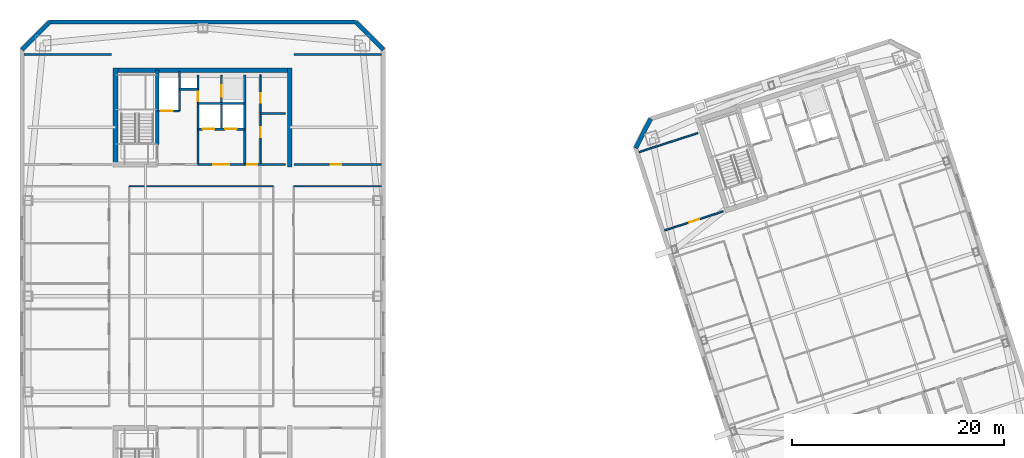
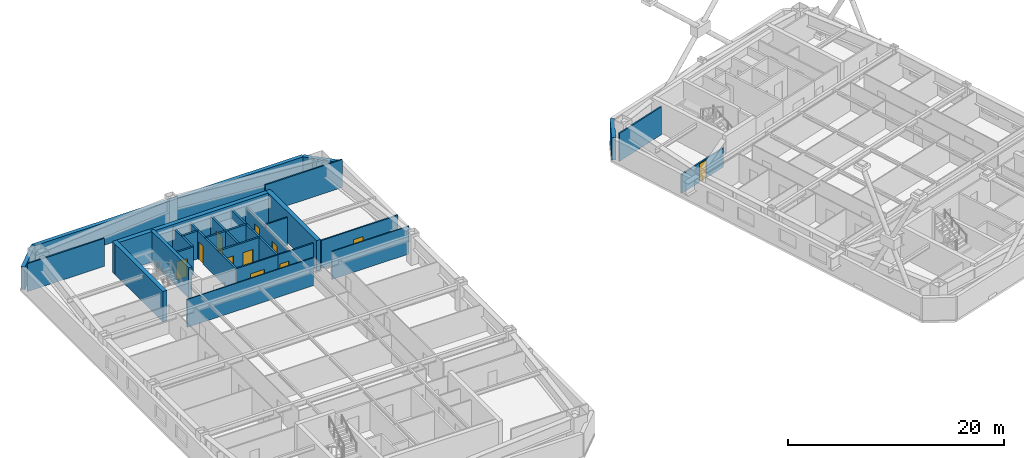
# One storey, part 8 of 15: 27 walls, 11 doors, 11 openings.
"""IFC4 building model written with IfcOpenShell, lengths in metres."""

import ifcopenshell
import ifcopenshell.guid

model = None  # the IFC model being written
_history = None  # IfcOwnerHistory: only IFC2X3 demands one
_inside = {}  # id of a spatial element -> (the spatial element, [elements in it])
_under = {}  # id of a project, library or spatial element -> (it, [spatial elements below it])
_declared = {}  # id of a project -> (the project, [libraries it declares])
_typed = {}  # id of a type object -> (the type object, [elements of that type])
_made_of = {}  # id of a material, layer set ... -> (it, [elements and type objects made of it])


def new_model(schema):
    """Start an empty IFC model of exactly this schema.

    Asked for "IFC4X3", IfcOpenShell would pick the latest addendum, in which some entities
    have other attributes; the version numbers below select the first issue.
    IFC2X3 requires an IfcOwnerHistory on every rooted entity: one is made here for all.
    """
    global model, _history
    if schema == "IFC4X3":
        model = ifcopenshell.file(schema_version=(4, 3, 0, 0))
    else:
        model = ifcopenshell.file(schema=schema)
    _inside.clear()
    _under.clear()
    _declared.clear()
    _typed.clear()
    _made_of.clear()
    _history = None
    if model.schema == "IFC2X3":
        org = make("IfcOrganization", Name="unknown")
        user = make(
            "IfcPersonAndOrganization",
            ThePerson=make("IfcPerson", FamilyName="unknown"),
            TheOrganization=org,
        )
        app = make(
            "IfcApplication",
            ApplicationDeveloper=org,
            Version="unknown",
            ApplicationFullName="unknown",
            ApplicationIdentifier="unknown",
        )
        _history = make(
            "IfcOwnerHistory",
            OwningUser=user,
            OwningApplication=app,
            ChangeAction="ADDED",
            CreationDate=0,
        )
    return model


def make(cls, **values):
    """One entity of the class cls with the attributes given. An attribute that is None is left unset."""
    return model.create_entity(
        cls, **{name: value for name, value in values.items() if value is not None}
    )


def rooted(cls, **values):
    """An entity with a GlobalId (a new one), such as an element, a storey or a relation."""
    return make(cls, GlobalId=ifcopenshell.guid.new(), OwnerHistory=_history, **values)


def si_unit(unit_type, name, prefix=None):
    """IfcSIUnit, for example si_unit("LENGTHUNIT", "METRE", prefix="MILLI")."""
    return make("IfcSIUnit", UnitType=unit_type, Prefix=prefix, Name=name)


def assignment(units):
    """IfcUnitAssignment: the units of a project."""
    return None if units is None else make("IfcUnitAssignment", Units=units)


def point(xyz):
    """IfcCartesianPoint."""
    return None if xyz is None else make("IfcCartesianPoint", Coordinates=xyz)


def direction(xyz):
    """IfcDirection."""
    return None if xyz is None else make("IfcDirection", DirectionRatios=xyz)


def frame(location, z_axis=None, x_axis=None):
    """IfcAxis2Placement3D, a coordinate frame: its origin and axes. An axis left out is left unset."""
    return make(
        "IfcAxis2Placement3D",
        Location=point(location),
        Axis=direction(z_axis),
        RefDirection=direction(x_axis),
    )


def frame_2d(location, x_axis=None):
    """IfcAxis2Placement2D, a coordinate frame in the plane: its origin and x axis."""
    return make(
        "IfcAxis2Placement2D", Location=point(location), RefDirection=direction(x_axis)
    )


def origin():
    """The frame at (0, 0, 0) with its axes left unset."""
    return frame((0.0, 0.0, 0.0))


def place(relative_to, where):
    """IfcLocalPlacement: puts the frame where relative to a parent placement (None: the world)."""
    return make(
        "IfcLocalPlacement", PlacementRelTo=relative_to, RelativePlacement=where
    )


def context(
    kind, dimensions, precision=None, world=None, true_north=None, identifier=None
):
    """IfcGeometricRepresentationContext, for example the 3D "Model" context."""
    return make(
        "IfcGeometricRepresentationContext",
        ContextIdentifier=identifier,
        ContextType=kind,
        CoordinateSpaceDimension=dimensions,
        Precision=precision,
        WorldCoordinateSystem=world,
        TrueNorth=true_north,
    )


def subcontext(parent, identifier, kind, view, scale=None):
    """IfcGeometricRepresentationSubContext, for example "Body" below "Model"."""
    return make(
        "IfcGeometricRepresentationSubContext",
        ContextIdentifier=identifier,
        ContextType=kind,
        ParentContext=parent,
        TargetScale=scale,
        TargetView=view,
    )


def project(units=None, contexts=None):
    """IfcProject with its units and contexts."""
    return rooted(
        "IfcProject",
        Name="project",
        RepresentationContexts=contexts,
        UnitsInContext=assignment(units),
    )


def spatial(cls, under=None, at=None, **own):
    """A site, building, storey or space (cls), placed at a placement, below another one or the project."""
    s = rooted(cls, ObjectPlacement=at, **own)
    if under is not None:
        _under.setdefault(under.id(), (under, []))[1].append(s)
    return s


def profile(cls, at=None, kind="AREA", **sizes):
    """A parametric profile (cls). Its sizes go by their IFC names, for example OverallWidth=200.0."""
    return make(cls, ProfileType=kind, Position=at, **sizes)


def rectangle(**sizes):
    """IfcRectangleProfileDef."""
    return profile("IfcRectangleProfileDef", **sizes)


def extrude(swept, where, along, depth):
    """IfcExtrudedAreaSolid: the profile swept, set in the frame where, extruded along a direction by depth."""
    return make(
        "IfcExtrudedAreaSolid",
        SweptArea=swept,
        Position=where,
        ExtrudedDirection=direction(along),
        Depth=depth,
    )


def shape(context_of_items, identifier, shape_type, items):
    """IfcShapeRepresentation: the items that make up one representation, for example the "Body"."""
    return make(
        "IfcShapeRepresentation",
        ContextOfItems=context_of_items,
        RepresentationIdentifier=identifier,
        RepresentationType=shape_type,
        Items=items,
    )


def material(Name=None, Category=None):
    """IfcMaterial."""
    return make("IfcMaterial", Name=Name, Category=Category)


def layer(
    of_material, thickness, ventilated=None, Name=None, Category=None, Priority=None
):
    """IfcMaterialLayer: one layer of a wall or slab, of a material (None: an air gap)."""
    return make(
        "IfcMaterialLayer",
        Material=of_material,
        LayerThickness=thickness,
        IsVentilated=ventilated,
        Name=Name,
        Category=Category,
        Priority=Priority,
    )


def layer_set(layers, Name=None):
    """IfcMaterialLayerSet."""
    return make("IfcMaterialLayerSet", MaterialLayers=layers, LayerSetName=Name)


def made_of(thing, what):
    """Note that an element or type object is made of a material, layer set ...; save() writes the relation."""
    if what is not None:
        _made_of.setdefault(what.id(), (what, []))[1].append(thing)
    return thing


def type_object(cls, material=None, **own):
    """A type object (cls), such as IfcWallType, which elements share."""
    return made_of(rooted(cls, **own), material)


def element(
    cls,
    number,
    at=None,
    inside=None,
    cuts=None,
    type_object=None,
    material=None,
    context=None,
    identifier="Body",
    shape_type=None,
    held_by="IfcProductDefinitionShape",
    body=None,
    shapes=None,
    **own,
):
    """One element of the class cls, such as IfcWall. Its Tag is "e" and its number.

    at: its placement. inside: the storey or other place that contains it. cuts: it is an
    opening in that element (IfcRelVoidsElement). A single representation is given by context,
    identifier, shape_type and body (its items); several are given by shapes. held_by: the class
    of the entity that holds the representations. save() writes the other relations.
    """
    e = rooted(cls, Tag="e%d" % number, ObjectPlacement=at, **own)
    if body is not None:
        shapes = [shape(context, identifier, shape_type, body)]
    if shapes is not None:
        e.Representation = make(held_by, Representations=shapes)
    if inside is not None:
        _inside.setdefault(inside.id(), (inside, []))[1].append(e)
    if cuts is not None:
        rooted(
            "IfcRelVoidsElement", RelatingBuildingElement=cuts, RelatedOpeningElement=e
        )
    if type_object is not None:
        _typed.setdefault(type_object.id(), (type_object, []))[1].append(e)
    return made_of(e, material)


def fill(opening, filler):
    """IfcRelFillsElement: the door or window that sits in an opening."""
    return rooted(
        "IfcRelFillsElement",
        RelatingOpeningElement=opening,
        RelatedBuildingElement=filler,
    )


def aggregate(whole, parts):
    """IfcRelAggregates: a whole, such as a stair, and the parts it consists of."""
    return rooted("IfcRelAggregates", RelatingObject=whole, RelatedObjects=parts)


def save(model, path):
    """Write the relations noted so far, then the file.

    IfcRelAggregates (storeys below a building ...), IfcRelContainedInSpatialStructure (elements
    in a storey), IfcRelDefinesByType, IfcRelAssociatesMaterial and IfcRelDeclares: one each for
    every whole, place, type object, material and project.
    """
    for whole, parts in _under.values():
        aggregate(whole, parts)
    for where, things in _inside.values():
        rooted(
            "IfcRelContainedInSpatialStructure",
            RelatedElements=things,
            RelatingStructure=where,
        )
    for kind, things in _typed.values():
        rooted("IfcRelDefinesByType", RelatedObjects=things, RelatingType=kind)
    for what, things in _made_of.values():
        rooted("IfcRelAssociatesMaterial", RelatedObjects=things, RelatingMaterial=what)
    for by, libraries in _declared.values():
        rooted("IfcRelDeclares", RelatingContext=by, RelatedDefinitions=libraries)
    model.write(path)


model = new_model("IFC4")

# Units and contexts
model_context = context("Model", 3, precision=1e-05, world=origin(), true_north=direction((0.0, 1.0)))
body_context = subcontext(model_context, "Body", "Model", "MODEL_VIEW")
ifc_project = project(units=[si_unit("LENGTHUNIT", "METRE"), si_unit("AREAUNIT", "SQUARE_METRE"), si_unit("VOLUMEUNIT", "CUBIC_METRE"), si_unit("PLANEANGLEUNIT", "RADIAN"), si_unit("MASSUNIT", "GRAM", prefix="KILO")], contexts=[model_context])

# Site, building, storey
site_placement = place(None, origin())
site = spatial("IfcSite", under=ifc_project, at=site_placement, CompositionType="ELEMENT")
building_placement = place(site_placement, origin())
building = spatial("IfcBuilding", under=site, at=building_placement, Name="Qiaolan Cultural Towers", CompositionType="ELEMENT")
storey_placement = place(building_placement, frame((0.0, 0.0, 212.75)))
storey = spatial("IfcBuildingStorey", under=building, at=storey_placement, Name="L57", CompositionType="ELEMENT", Elevation=212.75)

# Walls
ifc_material_1 = material(Name="Concrete C50", Category="concrete")
ifc_layer_1 = layer(ifc_material_1, 0.35009765625)
ifc_layer_set_1 = layer_set([ifc_layer_1], Name="Concrete C50")
wall_type_1 = type_object("IfcWallType", Name="WL-CORE-350", PredefinedType="SHEAR", material=ifc_layer_set_1)
wall_1_placement = place(storey_placement, frame((25.719970703125, 48.300048828125, 0.0), z_axis=(0.0, 0.0, 1.0), x_axis=(0.0, 1.0, 0.0)))
element("IfcWall", 1, at=wall_1_placement, inside=storey, type_object=wall_type_1, Name="L57 T1-CN Stair Core Dividing Web", PredefinedType="SHEAR", context=body_context, shape_type="SweptSolid", body=[
    extrude(rectangle(XDim=6.97998046875, YDim=0.35009765625, at=frame_2d((3.489990234375, 0.0))), origin(), (0.0, 0.0, 1.0), 3.449951171875),
])
ifc_material_2 = material(Name="Concrete C50", Category="concrete")
ifc_layer_2 = layer(ifc_material_2, 0.449951171875)
ifc_layer_set_2 = layer_set([ifc_layer_2], Name="Concrete C50")
wall_type_2 = type_object("IfcWallType", Name="WL-CORE-450", PredefinedType="SHEAR", material=ifc_layer_set_2)
wall_2_placement = place(storey_placement, frame((21.574951171875, 55.280029296875, 0.0), z_axis=(0.0, 0.0, 1.0), x_axis=(1.0, 0.0, 0.0)))
element("IfcWall", 2, at=wall_2_placement, inside=storey, type_object=wall_type_2, Name="L57 T1-CN Outer Core Shear Wall", PredefinedType="SHEAR", context=body_context, shape_type="SweptSolid", body=[
    extrude(rectangle(XDim=16.85009765625, YDim=0.449951171875, at=frame_2d((8.425048828125, 0.0))), origin(), (0.0, 0.0, 1.0), 3.449951171875),
])
for number, where, z_axis, x_axis, name in (
    (3, (21.800048828125, 46.175048828125, 0.0), (0.0, 0.0, 1.0), (0.0, 1.0, 0.0), "L57 T1-CN West Core Shear Wall"),
    (4, (38.199951171875, 46.175048828125, 0.0), (0.0, 0.0, 1.0), (0.0, 1.0, 0.0), "L57 T1-CN East Core Shear Wall"),
):
    element("IfcWall", number, at=place(storey_placement, frame(where, z_axis=z_axis, x_axis=x_axis)), inside=storey, type_object=wall_type_2, Name=name, PredefinedType="SHEAR", context=body_context, shape_type="SweptSolid", body=[
        extrude(rectangle(XDim=9.329833984375, YDim=0.449951171875, at=frame_2d((4.6650390625, 0.0))), origin(), (0.0, 0.0, 1.0), 3.449951171875),
    ])
ifc_material_3 = material(Name="Precast Concrete C50 Honed Stone Pier", Category="masonry")
ifc_layer_3 = layer(ifc_material_3, 0.39990234375)
ifc_layer_set_3 = layer_set([ifc_layer_3], Name="Precast Concrete C50 Honed Stone Pier")
wall_type_3 = type_object("IfcWallType", Name="WL-EXT-PIER-400", PredefinedType="SOLIDWALL", material=ifc_layer_set_3)
wall_3_placement = place(storey_placement, frame((13.0, 57.199951171875, 0.0), z_axis=(0.0, 0.0, 1.0), x_axis=(0.707106781187, 0.707106781187, 0.0)))
element("IfcWall", 5, at=wall_3_placement, inside=storey, type_object=wall_type_3, Name="L57 West Tower Precast Pier Facade Wall F2", PredefinedType="SOLIDWALL", context=body_context, shape_type="SweptSolid", body=[
    extrude(rectangle(XDim=3.677001953125, YDim=0.39990234375, at=frame_2d((1.83837890625, 0.0))), origin(), (0.0, 0.0, 1.0), 2.550048828125),
])
wall_4_placement = place(storey_placement, frame((15.60009765625, 59.800048828125, 0.0), z_axis=(0.0, 0.0, 1.0), x_axis=(1.0, 0.0, 0.0)))
element("IfcWall", 6, at=wall_4_placement, inside=storey, type_object=wall_type_3, Name="L57 West Tower Precast Pier Facade Wall F3", PredefinedType="SOLIDWALL", context=body_context, shape_type="SweptSolid", body=[
    extrude(rectangle(XDim=28.7998046875, YDim=0.39990234375, at=frame_2d((14.39990234375, 0.0))), origin(), (0.0, 0.0, 1.0), 2.550048828125),
])
wall_5_placement = place(storey_placement, frame((44.39990234375, 59.800048828125, 0.0), z_axis=(0.0, 0.0, 1.0), x_axis=(0.707106781187, -0.707106781187, 0.0)))
element("IfcWall", 7, at=wall_5_placement, inside=storey, type_object=wall_type_3, Name="L57 West Tower Precast Pier Facade Wall F4", PredefinedType="SOLIDWALL", context=body_context, shape_type="SweptSolid", body=[
    extrude(rectangle(XDim=3.677001953125, YDim=0.39990234375, at=frame_2d((1.83837890625, 0.0))), origin(), (0.0, 0.0, 1.0), 2.550048828125),
])
wall_6_placement = place(storey_placement, frame((70.752197265625, 47.93408203125, 0.0), z_axis=(0.0, 0.0, 1.0), x_axis=(0.453949291228, 0.891027519774, 0.0)))
element("IfcWall", 8, at=wall_6_placement, inside=storey, type_object=wall_type_3, Name="L57 East Tower Precast Pier Facade Wall F2", PredefinedType="SOLIDWALL", context=body_context, shape_type="SweptSolid", body=[
    extrude(rectangle(XDim=3.111328125, YDim=0.39990234375, at=frame_2d((1.5556640625, 0.0))), origin(), (0.0, 0.0, 1.0), 2.550048828125),
])

# Wall, opening, door
ifc_material_4 = material(Name="Concrete C35 Fire Wall", Category="concrete")
ifc_layer_4 = layer(ifc_material_4, 0.199951171875)
ifc_layer_set_4 = layer_set([ifc_layer_4], Name="Concrete C35 Fire Wall")
wall_type_4 = type_object("IfcWallType", Name="WL-FIRE-200", PredefinedType="PARTITIONING", material=ifc_layer_set_4)
wall_7_placement = place(storey_placement, frame((29.550048828125, 46.39990234375, 0.0), z_axis=(0.0, 0.0, 1.0), x_axis=(0.0, 1.0, 0.0)))
wall_7 = element("IfcWall", 9, at=wall_7_placement, inside=storey, type_object=wall_type_4, Name="L57 T1-CN Firefighting Zone Wall", PredefinedType="PARTITIONING", context=body_context, shape_type="SweptSolid", body=[
    extrude(rectangle(XDim=8.43017578125, YDim=0.199951171875, at=frame_2d((4.215087890625, 0.0))), origin(), (0.0, 0.0, 1.0), 3.155029296875),
])
opening_1_placement = place(wall_7_placement, frame((5.949951171875, 0.0, 0.0)))
opening_1 = element("IfcOpeningElement", 10, at=opening_1_placement, cuts=wall_7, Name="Opening ID-06", PredefinedType="OPENING", context=body_context, shape_type="SweptSolid", body=[
    extrude(rectangle(XDim=0.89990234375, YDim=2.050048828125, at=frame_2d((0.449951171875, 1.02490234375))), frame((0.0, 0.10986328125, 0.0), z_axis=(0.0, -1.0, 0.0), x_axis=(1.0, 0.0, 0.0)), (0.0, 0.0, 1.0), 0.219970703125),
])
ifc_material_5 = material(Name="Fire-Rated Laminate Core Service Door", Category="timber")
door_type_1 = type_object("IfcDoorType", Name="DR-INT-900", OperationType="NOTDEFINED", PredefinedType="DOOR", material=ifc_material_5)
door_1_placement = place(opening_1_placement, origin())
door_1 = element("IfcDoor", 11, at=door_1_placement, inside=storey, type_object=door_type_1, Name="L57 Sky Shuttle Transfer Lobby Door", OperationType="SINGLE_SWING_LEFT", OverallHeight=2.050048828125, OverallWidth=0.89990234375, PredefinedType="DOOR", context=body_context, shape_type="SweptSolid", body=[
    extrude(rectangle(XDim=0.89990234375, YDim=2.050048828125, at=frame_2d((0.449951171875, 1.02490234375))), frame((0.0, 0.02490234375, 0.0), z_axis=(0.0, -1.0, 0.0), x_axis=(1.0, 0.0, 0.0)), (0.0, 0.0, 1.0), 0.050048828125),
])
fill(opening_1, door_1)

wall_8_placement = place(storey_placement, frame((25.719970703125, 51.449951171875, 0.0), z_axis=(0.0, 0.0, 1.0), x_axis=(1.0, 0.0, 0.0)))
wall_8 = element("IfcWall", 12, at=wall_8_placement, inside=storey, type_object=wall_type_4, Name="L57 T1-CN Firefighting Shaft Front Wall", PredefinedType="PARTITIONING", context=body_context, shape_type="SweptSolid", body=[
    extrude(rectangle(XDim=2.10009765625, YDim=0.199951171875, at=frame_2d((1.050048828125, 0.0))), origin(), (0.0, 0.0, 1.0), 3.155029296875),
])
opening_2_placement = place(wall_8_placement, frame((0.35009765625, 0.0, 0.0)))
opening_2 = element("IfcOpeningElement", 13, at=opening_2_placement, cuts=wall_8, Name="Opening LD-01", PredefinedType="OPENING", context=body_context, shape_type="SweptSolid", body=[
    extrude(rectangle(XDim=1.10009765625, YDim=2.050048828125, at=frame_2d((0.550048828125, 1.02490234375))), frame((0.0, 0.10986328125, 0.0), z_axis=(0.0, -1.0, 0.0), x_axis=(1.0, 0.0, 0.0)), (0.0, 0.0, 1.0), 0.219970703125),
])
ifc_material_6 = material(Name="Brushed Stainless Steel S30408 Centre-Parting Lift Landing Door", Category="steel")
door_type_2 = type_object("IfcDoorType", Name="DR-LIFT-1100", OperationType="NOTDEFINED", PredefinedType="DOOR", material=ifc_material_6)
door_2_placement = place(opening_2_placement, origin())
door_2 = element("IfcDoor", 14, at=door_2_placement, inside=storey, type_object=door_type_2, Name="L57 FFL-W2 Firefighting Lift Landing Door", OperationType="DOUBLE_DOOR_SLIDING", OverallHeight=2.050048828125, OverallWidth=1.10009765625, PredefinedType="DOOR", context=body_context, shape_type="SweptSolid", body=[
    extrude(rectangle(XDim=1.10009765625, YDim=2.050048828125, at=frame_2d((0.550048828125, 1.02490234375))), frame((0.0, 0.02490234375, 0.0), z_axis=(0.0, -1.0, 0.0), x_axis=(1.0, 0.0, 0.0)), (0.0, 0.0, 1.0), 0.050048828125),
])
fill(opening_2, door_2)

# Walls
wall_9_placement = place(storey_placement, frame((27.820068359375, 51.449951171875, 0.0), z_axis=(0.0, 0.0, 1.0), x_axis=(0.0, 1.0, 0.0)))
element("IfcWall", 15, at=wall_9_placement, inside=storey, type_object=wall_type_4, Name="L57 T1-CN Firefighting Hoistway East Wall", PredefinedType="PARTITIONING", context=body_context, shape_type="SweptSolid", body=[
    extrude(rectangle(XDim=3.699951171875, YDim=0.199951171875, at=frame_2d((1.85009765625, 0.0))), origin(), (0.0, 0.0, 1.0), 3.155029296875),
])
wall_10_placement = place(storey_placement, frame((27.820068359375, 53.47998046875, 0.0), z_axis=(0.0, 0.0, 1.0), x_axis=(1.0, 0.0, 0.0)))
element("IfcWall", 16, at=wall_10_placement, inside=storey, type_object=wall_type_4, Name="L57 T1-CN Pressurization Shaft Front Wall", PredefinedType="PARTITIONING", context=body_context, shape_type="SweptSolid", body=[
    extrude(rectangle(XDim=1.72998046875, YDim=0.199951171875, at=frame_2d((0.864990234375, 0.0))), origin(), (0.0, 0.0, 1.0), 3.155029296875),
])
wall_11_placement = place(storey_placement, frame((33.949951171875, 46.39990234375, 0.0), z_axis=(0.0, 0.0, 1.0), x_axis=(0.0, 1.0, 0.0)))
element("IfcWall", 17, at=wall_11_placement, inside=storey, type_object=wall_type_4, Name="L57 T1-CN Lift Core East Wall", PredefinedType="PARTITIONING", context=body_context, shape_type="SweptSolid", body=[
    extrude(rectangle(XDim=8.43017578125, YDim=0.199951171875, at=frame_2d((4.215087890625, 0.0))), origin(), (0.0, 0.0, 1.0), 3.155029296875),
])

# Wall, openings, doors
wall_12_placement = place(storey_placement, frame((29.550048828125, 49.719970703125, 0.0), z_axis=(0.0, 0.0, 1.0), x_axis=(1.0, 0.0, 0.0)))
wall_12 = element("IfcWall", 18, at=wall_12_placement, inside=storey, type_object=wall_type_4, Name="L57 T1-CN Passenger Lift Shaft Front Wall", PredefinedType="PARTITIONING", context=body_context, shape_type="SweptSolid", body=[
    extrude(rectangle(XDim=4.39990234375, YDim=0.199951171875, at=frame_2d((2.199951171875, 0.0))), origin(), (0.0, 0.0, 1.0), 3.155029296875),
])
opening_3_placement = place(wall_12_placement, frame((0.449951171875, 0.0, 0.0)))
opening_3 = element("IfcOpeningElement", 19, at=opening_3_placement, cuts=wall_12, Name="Opening LD-01", PredefinedType="OPENING", context=body_context, shape_type="SweptSolid", body=[
    extrude(rectangle(XDim=1.10009765625, YDim=2.050048828125, at=frame_2d((0.550048828125, 1.02490234375))), frame((0.0, 0.10986328125, 0.0), z_axis=(0.0, -1.0, 0.0), x_axis=(1.0, 0.0, 0.0)), (0.0, 0.0, 1.0), 0.219970703125),
])
opening_4_placement = place(wall_12_placement, frame((2.550048828125, 0.0, 0.0)))
opening_4 = element("IfcOpeningElement", 20, at=opening_4_placement, cuts=wall_12, Name="Opening LD-01", PredefinedType="OPENING", context=body_context, shape_type="SweptSolid", body=[
    extrude(rectangle(XDim=1.10009765625, YDim=2.050048828125, at=frame_2d((0.550048828125, 1.02490234375))), frame((0.0, 0.10986328125, 0.0), z_axis=(0.0, -1.0, 0.0), x_axis=(1.0, 0.0, 0.0)), (0.0, 0.0, 1.0), 0.219970703125),
])
door_3_placement = place(opening_3_placement, origin())
door_3 = element("IfcDoor", 21, at=door_3_placement, inside=storey, type_object=door_type_2, Name="L57 Passenger Lift 1 Landing Door", OperationType="DOUBLE_DOOR_SLIDING", OverallHeight=2.050048828125, OverallWidth=1.10009765625, PredefinedType="DOOR", context=body_context, shape_type="SweptSolid", body=[
    extrude(rectangle(XDim=1.10009765625, YDim=2.050048828125, at=frame_2d((0.550048828125, 1.02490234375))), frame((0.0, 0.02490234375, 0.0), z_axis=(0.0, -1.0, 0.0), x_axis=(1.0, 0.0, 0.0)), (0.0, 0.0, 1.0), 0.050048828125),
])
fill(opening_3, door_3)
door_4_placement = place(opening_4_placement, origin())
door_4 = element("IfcDoor", 22, at=door_4_placement, inside=storey, type_object=door_type_2, Name="L57 Passenger Lift 2 Landing Door", OperationType="DOUBLE_DOOR_SLIDING", OverallHeight=2.050048828125, OverallWidth=1.10009765625, PredefinedType="DOOR", context=body_context, shape_type="SweptSolid", body=[
    extrude(rectangle(XDim=1.10009765625, YDim=2.050048828125, at=frame_2d((0.550048828125, 1.02490234375))), frame((0.0, 0.02490234375, 0.0), z_axis=(0.0, -1.0, 0.0), x_axis=(1.0, 0.0, 0.0)), (0.0, 0.0, 1.0), 0.050048828125),
])
fill(opening_4, door_4)

# Wall, opening, door
wall_13_placement = place(storey_placement, frame((31.780029296875, 49.719970703125, 0.0), z_axis=(0.0, 0.0, 1.0), x_axis=(0.0, 1.0, 0.0)))
wall_13 = element("IfcWall", 23, at=wall_13_placement, inside=storey, type_object=wall_type_4, Name="L57 T1-CN Lift Shaft Divider Wall", PredefinedType="PARTITIONING", context=body_context, shape_type="SweptSolid", body=[
    extrude(rectangle(XDim=5.110107421875, YDim=0.199951171875, at=frame_2d((2.55517578125, 0.0))), origin(), (0.0, 0.0, 1.0), 3.155029296875),
])
opening_5_placement = place(wall_13_placement, frame((3.050048828125, 0.0, 0.0)))
opening_5 = element("IfcOpeningElement", 24, at=opening_5_placement, cuts=wall_13, Name="Opening LD-01", PredefinedType="OPENING", context=body_context, shape_type="SweptSolid", body=[
    extrude(rectangle(XDim=1.10009765625, YDim=2.050048828125, at=frame_2d((0.550048828125, 1.02490234375))), frame((0.0, 0.10986328125, 0.0), z_axis=(0.0, -1.0, 0.0), x_axis=(1.0, 0.0, 0.0)), (0.0, 0.0, 1.0), 0.219970703125),
])
door_5_placement = place(opening_5_placement, origin())
door_5 = element("IfcDoor", 25, at=door_5_placement, inside=storey, type_object=door_type_2, Name="L57 Sky Shuttle Lift Transfer Landing Door", OperationType="DOUBLE_DOOR_SLIDING", OverallHeight=2.050048828125, OverallWidth=1.10009765625, PredefinedType="DOOR", context=body_context, shape_type="SweptSolid", body=[
    extrude(rectangle(XDim=1.10009765625, YDim=2.050048828125, at=frame_2d((0.550048828125, 1.02490234375))), frame((0.0, 0.02490234375, 0.0), z_axis=(0.0, -1.0, 0.0), x_axis=(1.0, 0.0, 0.0)), (0.0, 0.0, 1.0), 0.050048828125),
])
fill(opening_5, door_5)

# Walls
wall_14_placement = place(storey_placement, frame((29.550048828125, 52.14990234375, 0.0), z_axis=(0.0, 0.0, 1.0), x_axis=(1.0, 0.0, 0.0)))
element("IfcWall", 26, at=wall_14_placement, inside=storey, type_object=wall_type_4, Name="L57 T1-CN Passenger Lift Shaft Back Wall", PredefinedType="PARTITIONING", context=body_context, shape_type="SweptSolid", body=[
    extrude(rectangle(XDim=4.39990234375, YDim=0.199951171875, at=frame_2d((2.199951171875, 0.0))), origin(), (0.0, 0.0, 1.0), 3.155029296875),
])
ifc_material_7 = material(Name="Acoustic Double-Glazed Partition Frame", Category="glass")
ifc_layer_5 = layer(ifc_material_7, 0.10009765625)
ifc_layer_set_5 = layer_set([ifc_layer_5], Name="Acoustic Double-Glazed Partition Frame")
wall_type_5 = type_object("IfcWallType", Name="WL-GLAZED-100", PredefinedType="MOVABLE", material=ifc_layer_set_5)
wall_15_placement = place(storey_placement, frame((23.10009765625, 44.35009765625, 0.0), z_axis=(0.0, 0.0, 1.0), x_axis=(1.0, 0.0, 0.0)))
element("IfcWall", 27, at=wall_15_placement, inside=storey, type_object=wall_type_5, Name="L57 T1 Interior Wall", PredefinedType="MOVABLE", context=body_context, shape_type="SweptSolid", body=[
    extrude(rectangle(XDim=13.5498046875, YDim=0.10009765625, at=frame_2d((6.77490234375, 0.0))), origin(), (0.0, 0.0, 1.0), 3.155029296875),
])
wall_16_placement = place(storey_placement, frame((38.550048828125, 44.35009765625, 0.0), z_axis=(0.0, 0.0, 1.0), x_axis=(1.0, 0.0, 0.0)))
element("IfcWall", 28, at=wall_16_placement, inside=storey, type_object=wall_type_5, Name="L57 T1 Interior Wall", PredefinedType="MOVABLE", context=body_context, shape_type="SweptSolid", body=[
    extrude(rectangle(XDim=8.25, YDim=0.10009765625, at=frame_2d((4.125, 0.0))), origin(), (0.0, 0.0, 1.0), 3.155029296875),
])

# Wall, opening, door
ifc_material_8 = material(Name="Autoclaved Aerated Concrete Block B06", Category="concrete")
ifc_layer_6 = layer(ifc_material_8, 0.14990234375)
ifc_layer_set_6 = layer_set([ifc_layer_6], Name="Autoclaved Aerated Concrete Block B06")
wall_type_6 = type_object("IfcWallType", Name="WL-PART-150", PredefinedType="PARTITIONING", material=ifc_layer_set_6)
wall_17_placement = place(storey_placement, frame((29.550048828125, 46.39990234375, 0.0), z_axis=(0.0, 0.0, 1.0), x_axis=(1.0, 0.0, 0.0)))
wall_17 = element("IfcWall", 29, at=wall_17_placement, inside=storey, type_object=wall_type_6, Name="L57 T1-CN Passenger Lift Lobby Front Wall", PredefinedType="PARTITIONING", context=body_context, shape_type="SweptSolid", body=[
    extrude(rectangle(XDim=4.39990234375, YDim=0.14990234375, at=frame_2d((2.199951171875, 0.0))), origin(), (0.0, 0.0, 1.0), 3.155029296875),
])
opening_6_placement = place(wall_17_placement, frame((1.449951171875, 0.0, 0.0)))
opening_6 = element("IfcOpeningElement", 30, at=opening_6_placement, cuts=wall_17, Name="Opening FD-05", PredefinedType="OPENING", context=body_context, shape_type="SweptSolid", body=[
    extrude(rectangle(XDim=1.5, YDim=2.050048828125, at=frame_2d((0.75, 1.02490234375))), frame((0.0, 0.0849609375, 0.0), z_axis=(0.0, -1.0, 0.0), x_axis=(1.0, 0.0, 0.0)), (0.0, 0.0, 1.0), 0.169921875),
])
ifc_material_9 = material(Name="Painted Steel Lift Lobby Fire Door", Category="steel")
door_type_3 = type_object("IfcDoorType", Name="DR-FD60-1500", OperationType="NOTDEFINED", PredefinedType="DOOR", material=ifc_material_9)
door_6_placement = place(opening_6_placement, origin())
door_6 = element("IfcDoor", 31, at=door_6_placement, inside=storey, type_object=door_type_3, Name="L57 Passenger Lift Lobby Entrance", OperationType="SINGLE_SWING_LEFT", OverallHeight=2.050048828125, OverallWidth=1.5, PredefinedType="DOOR", context=body_context, shape_type="SweptSolid", body=[
    extrude(rectangle(XDim=1.5, YDim=2.050048828125, at=frame_2d((0.75, 1.02490234375))), frame((0.0, 0.02490234375, 0.0), z_axis=(0.0, -1.0, 0.0), x_axis=(1.0, 0.0, 0.0)), (0.0, 0.0, 1.0), 0.050048828125),
])
fill(opening_6, door_6)

wall_18_placement = place(storey_placement, frame((33.949951171875, 46.39990234375, 0.0), z_axis=(0.0, 0.0, 1.0), x_axis=(1.0, 0.0, 0.0)))
wall_18 = element("IfcWall", 32, at=wall_18_placement, inside=storey, type_object=wall_type_6, Name="L57 T1-CN Sanitary Core Front Wall", PredefinedType="PARTITIONING", context=body_context, shape_type="SweptSolid", body=[
    extrude(rectangle(XDim=3.800048828125, YDim=0.14990234375, at=frame_2d((1.89990234375, 0.0))), origin(), (0.0, 0.0, 1.0), 3.155029296875),
])
opening_7_placement = place(wall_18_placement, frame((0.219970703125, 0.0, 0.0)))
opening_7 = element("IfcOpeningElement", 33, at=opening_7_placement, cuts=wall_18, Name="Opening ID-05", PredefinedType="OPENING", context=body_context, shape_type="SweptSolid", body=[
    extrude(rectangle(XDim=0.949951171875, YDim=2.050048828125, at=frame_2d((0.47509765625, 1.02490234375))), frame((0.0, 0.0849609375, 0.0), z_axis=(0.0, -1.0, 0.0), x_axis=(1.0, 0.0, 0.0)), (0.0, 0.0, 1.0), 0.169921875),
])
ifc_material_10 = material(Name="Fire-Rated Laminate Accessible Core Door", Category="timber")
door_type_4 = type_object("IfcDoorType", Name="DR-INT-950", OperationType="NOTDEFINED", PredefinedType="DOOR", material=ifc_material_10)
door_7_placement = place(opening_7_placement, origin())
door_7 = element("IfcDoor", 34, at=door_7_placement, inside=storey, type_object=door_type_4, Name="L57 Sanitary Lobby Door", OperationType="SINGLE_SWING_LEFT", OverallHeight=2.050048828125, OverallWidth=0.949951171875, PredefinedType="DOOR", context=body_context, shape_type="SweptSolid", body=[
    extrude(rectangle(XDim=0.949951171875, YDim=2.050048828125, at=frame_2d((0.47509765625, 1.02490234375))), frame((0.0, 0.02490234375, 0.0), z_axis=(0.0, -1.0, 0.0), x_axis=(1.0, 0.0, 0.0)), (0.0, 0.0, 1.0), 0.050048828125),
])
fill(opening_7, door_7)

# Wall, openings, doors
wall_19_placement = place(storey_placement, frame((35.449951171875, 46.39990234375, 0.0), z_axis=(0.0, 0.0, 1.0), x_axis=(0.0, 1.0, 0.0)))
wall_19 = element("IfcWall", 35, at=wall_19_placement, inside=storey, type_object=wall_type_6, Name="L57 T1-CN Washroom Split Wall", PredefinedType="PARTITIONING", context=body_context, shape_type="SweptSolid", body=[
    extrude(rectangle(XDim=8.43017578125, YDim=0.14990234375, at=frame_2d((4.215087890625, 0.0))), origin(), (0.0, 0.0, 1.0), 2.794921875),
])
opening_8_placement = place(wall_19_placement, frame((2.550048828125, 0.0, 0.0)))
opening_8 = element("IfcOpeningElement", 36, at=opening_8_placement, cuts=wall_19, Name="Opening ID-05", PredefinedType="OPENING", context=body_context, shape_type="SweptSolid", body=[
    extrude(rectangle(XDim=0.949951171875, YDim=2.050048828125, at=frame_2d((0.47509765625, 1.02490234375))), frame((0.0, 0.0849609375, 0.0), z_axis=(0.0, -1.0, 0.0), x_axis=(1.0, 0.0, 0.0)), (0.0, 0.0, 1.0), 0.169921875),
])
opening_9_placement = place(wall_19_placement, frame((5.800048828125, 0.0, 0.0)))
opening_9 = element("IfcOpeningElement", 37, at=opening_9_placement, cuts=wall_19, Name="Opening ID-06", PredefinedType="OPENING", context=body_context, shape_type="SweptSolid", body=[
    extrude(rectangle(XDim=0.89990234375, YDim=2.050048828125, at=frame_2d((0.449951171875, 1.02490234375))), frame((0.0, 0.0849609375, 0.0), z_axis=(0.0, -1.0, 0.0), x_axis=(1.0, 0.0, 0.0)), (0.0, 0.0, 1.0), 0.169921875),
])
door_8_placement = place(opening_9_placement, origin())
door_8 = element("IfcDoor", 38, at=door_8_placement, inside=storey, type_object=door_type_1, Name="L57 First-Aid Room Door", OperationType="SINGLE_SWING_RIGHT", OverallHeight=2.050048828125, OverallWidth=0.89990234375, PredefinedType="DOOR", context=body_context, shape_type="SweptSolid", body=[
    extrude(rectangle(XDim=0.89990234375, YDim=2.050048828125, at=frame_2d((0.449951171875, 1.02490234375))), frame((0.0, 0.02490234375, 0.0), z_axis=(0.0, -1.0, 0.0), x_axis=(1.0, 0.0, 0.0)), (0.0, 0.0, 1.0), 0.050048828125),
])
fill(opening_9, door_8)
door_9_placement = place(opening_8_placement, origin())
door_9 = element("IfcDoor", 39, at=door_9_placement, inside=storey, type_object=door_type_4, Name="L57 Accessible Washroom Door", OperationType="SINGLE_SWING_LEFT", OverallHeight=2.050048828125, OverallWidth=0.949951171875, PredefinedType="DOOR", context=body_context, shape_type="SweptSolid", body=[
    extrude(rectangle(XDim=0.949951171875, YDim=2.050048828125, at=frame_2d((0.47509765625, 1.02490234375))), frame((0.0, 0.02490234375, 0.0), z_axis=(0.0, -1.0, 0.0), x_axis=(1.0, 0.0, 0.0)), (0.0, 0.0, 1.0), 0.050048828125),
])
fill(opening_8, door_9)

# Walls
wall_20_placement = place(storey_placement, frame((35.449951171875, 51.199951171875, 0.0), z_axis=(0.0, 0.0, 1.0), x_axis=(1.0, 0.0, 0.0)))
element("IfcWall", 40, at=wall_20_placement, inside=storey, type_object=wall_type_6, Name="L57 T1-CN First-Aid Wall", PredefinedType="PARTITIONING", context=body_context, shape_type="SweptSolid", body=[
    extrude(rectangle(XDim=2.300048828125, YDim=0.14990234375, at=frame_2d((1.14990234375, 0.0))), origin(), (0.0, 0.0, 1.0), 3.155029296875),
])
for number, where, z_axis, x_axis, name in (
    (41, (13.199951171875, 56.75, 0.0), (0.0, 0.0, 1.0), (1.0, 0.0, 0.0), "L57 T1 Flank Wall FLK-NW"),
    (42, (38.60009765625, 56.75, 0.0), (0.0, 0.0, 1.0), (1.0, 0.0, 0.0), "L57 T1 Flank Wall FLK-NE"),
):
    element("IfcWall", number, at=place(storey_placement, frame(where, z_axis=z_axis, x_axis=x_axis)), inside=storey, type_object=wall_type_6, Name=name, PredefinedType="PARTITIONING", context=body_context, shape_type="SweptSolid", body=[
        extrude(rectangle(XDim=8.199951171875, YDim=0.14990234375, at=frame_2d((4.10009765625, 0.0))), origin(), (0.0, 0.0, 1.0), 3.155029296875),
    ])

# Wall, opening, door
wall_21_placement = place(storey_placement, frame((38.60009765625, 46.39990234375, 0.0), z_axis=(0.0, 0.0, 1.0), x_axis=(1.0, 0.0, 0.0)))
wall_21 = element("IfcWall", 43, at=wall_21_placement, inside=storey, type_object=wall_type_6, Name="L57 T1 Flank Front FLK-NE", PredefinedType="PARTITIONING", context=body_context, shape_type="SweptSolid", body=[
    extrude(rectangle(XDim=8.199951171875, YDim=0.14990234375, at=frame_2d((4.10009765625, 0.0))), origin(), (0.0, 0.0, 1.0), 3.155029296875),
])
opening_10_placement = place(wall_21_placement, frame((3.444091796875, 0.0, 0.0)))
opening_10 = element("IfcOpeningElement", 44, at=opening_10_placement, cuts=wall_21, Name="Opening ID-04", PredefinedType="OPENING", context=body_context, shape_type="SweptSolid", body=[
    extrude(rectangle(XDim=1.0, YDim=2.050048828125, at=frame_2d((0.5, 1.02490234375))), frame((0.0, 0.0849609375, 0.0), z_axis=(0.0, -1.0, 0.0), x_axis=(1.0, 0.0, 0.0)), (0.0, 0.0, 1.0), 0.169921875),
])
ifc_material_11 = material(Name="Oak Veneer Acoustic Office Door", Category="timber")
door_type_5 = type_object("IfcDoorType", Name="DR-INT-1000", OperationType="NOTDEFINED", PredefinedType="DOOR", material=ifc_material_11)
door_10_placement = place(opening_10_placement, origin())
door_10 = element("IfcDoor", 45, at=door_10_placement, inside=storey, type_object=door_type_5, Name="L57 T1 Corner Studio Door", OperationType="SINGLE_SWING_LEFT", OverallHeight=2.050048828125, OverallWidth=1.0, PredefinedType="DOOR", context=body_context, shape_type="SweptSolid", body=[
    extrude(rectangle(XDim=1.0, YDim=2.050048828125, at=frame_2d((0.5, 1.02490234375))), frame((0.0, 0.02490234375, 0.0), z_axis=(0.0, -1.0, 0.0), x_axis=(1.0, 0.0, 0.0)), (0.0, 0.0, 1.0), 0.050048828125),
])
fill(opening_10, door_10)

# Wall
wall_22_placement = place(storey_placement, frame((71.081298828125, 47.56787109375, 0.0), z_axis=(0.0, 0.0, 1.0), x_axis=(0.951059431056, 0.309008023519, 0.0)))
element("IfcWall", 46, at=wall_22_placement, inside=storey, type_object=wall_type_6, Name="L57 T2 Flank Wall FLK-NW", PredefinedType="PARTITIONING", context=body_context, shape_type="SweptSolid", body=[
    extrude(rectangle(XDim=5.800048828125, YDim=0.14990234375, at=frame_2d((2.89990234375, 0.0))), origin(), (0.0, 0.0, 1.0), 3.155029296875),
])

# Wall, opening, door
wall_23_placement = place(storey_placement, frame((73.476318359375, 40.197265625, 0.0), z_axis=(0.0, 0.0, 1.0), x_axis=(0.951059431056, 0.309008023519, 0.0)))
wall_23 = element("IfcWall", 47, at=wall_23_placement, inside=storey, type_object=wall_type_6, Name="L57 T2 Flank Front FLK-NW", PredefinedType="PARTITIONING", context=body_context, shape_type="SweptSolid", body=[
    extrude(rectangle(XDim=5.800048828125, YDim=0.14990234375, at=frame_2d((2.89990234375, 0.0))), origin(), (0.0, 0.0, 1.0), 2.14990234375),
])
opening_11_placement = place(wall_23_placement, frame((2.43603515625, 0.0, 0.0)))
opening_11 = element("IfcOpeningElement", 48, at=opening_11_placement, cuts=wall_23, Name="Opening ID-04", PredefinedType="OPENING", context=body_context, shape_type="SweptSolid", body=[
    extrude(rectangle(XDim=1.0, YDim=2.050048828125, at=frame_2d((0.5, 1.02490234375))), frame((0.0, 0.0849609375, 0.0), z_axis=(0.0, -1.0, 0.0), x_axis=(1.0, 0.0, 0.0)), (0.0, 0.0, 1.0), 0.169921875),
])
door_11_placement = place(opening_11_placement, origin())
door_11 = element("IfcDoor", 49, at=door_11_placement, inside=storey, type_object=door_type_5, Name="L57 T2 Corner Studio Door", OperationType="SINGLE_SWING_LEFT", OverallHeight=2.050048828125, OverallWidth=1.0, PredefinedType="DOOR", context=body_context, shape_type="SweptSolid", body=[
    extrude(rectangle(XDim=1.0, YDim=2.050048828125, at=frame_2d((0.5, 1.02490234375))), frame((0.0, 0.02490234375, 0.0), z_axis=(0.0, -1.0, 0.0), x_axis=(1.0, 0.0, 0.0)), (0.0, 0.0, 1.0), 0.050048828125),
])
fill(opening_11, door_11)

save(model, "model.ifc")
